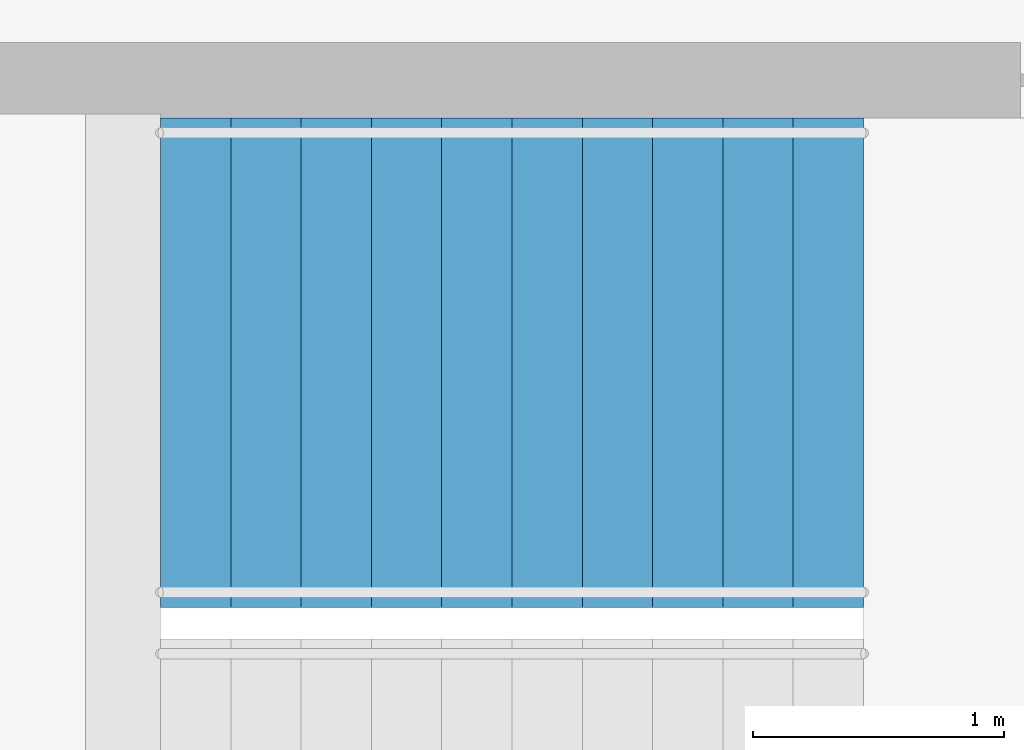
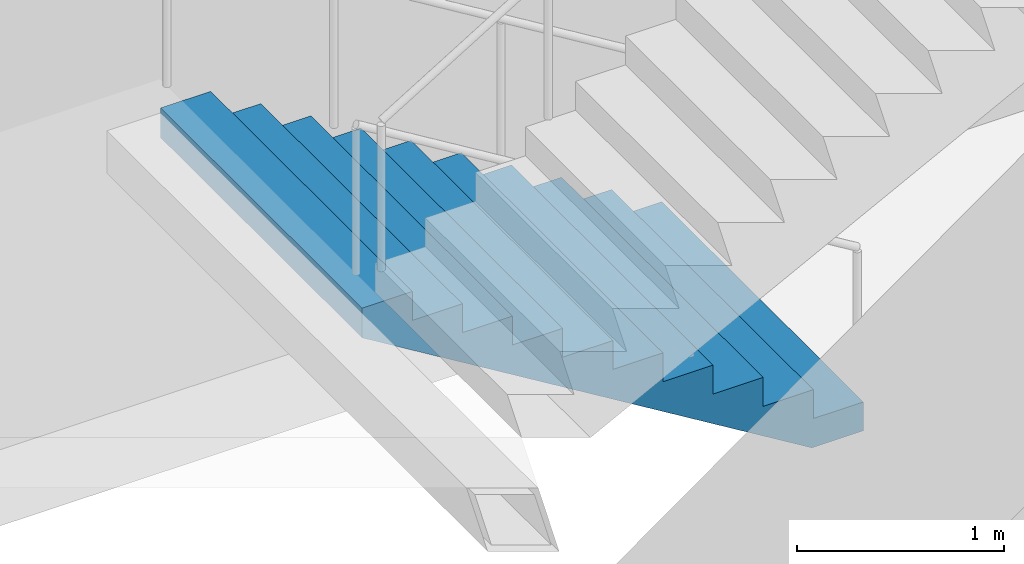
# One storey, part 27 of 29: 1 stair flight, 1 element without a shape of its own.
"""IFC4 building model written with IfcOpenShell, lengths in metres."""

from ifc_helpers import new_model, si_unit, direction, frame, origin, place, context, subcontext, project, spatial, triangles, material, type_object, element, aggregate, save


model = new_model("IFC4")

# Units and contexts
model_context = context("Model", 3, precision=1e-05, world=origin(), true_north=direction((0.0, 1.0)))
body_context = subcontext(model_context, "Body", "Model", "MODEL_VIEW")
ifc_project = project(units=[si_unit("LENGTHUNIT", "METRE"), si_unit("AREAUNIT", "SQUARE_METRE"), si_unit("VOLUMEUNIT", "CUBIC_METRE"), si_unit("PLANEANGLEUNIT", "RADIAN"), si_unit("MASSUNIT", "GRAM", prefix="KILO")], contexts=[model_context])

# Site, building, storey
site_placement = place(None, origin())
site = spatial("IfcSite", under=ifc_project, at=site_placement, CompositionType="ELEMENT")
building_placement = place(site_placement, origin())
building = spatial("IfcBuilding", under=site, at=building_placement, Name="Orbita Commons", CompositionType="ELEMENT")
storey_placement = place(building_placement, frame((0.0, 0.0, 163.60009765625)))
storey = spatial("IfcBuildingStorey", under=building, at=storey_placement, Name="L40", CompositionType="ELEMENT", Elevation=163.60009765625)

# Stair, stair flight
ifc_material_1 = material(Name="Precast concrete C40/50", Category="concrete")
stair_type = type_object("IfcStairType", Name="Exit stair S2 2 flights 11 risers 170", PredefinedType="HALF_TURN_STAIR", material=ifc_material_1)
stair_placement = place(storey_placement, origin())
stair = element("IfcStair", 1, at=stair_placement, inside=storey, type_object=stair_type, Name="Exit stair S2 L40", PredefinedType="HALF_TURN_STAIR")
ifc_material_2 = material(Name="Precast concrete C40/50", Category="concrete")
stair_flight_type = type_object("IfcStairFlightType", Name="Stair flight 11 risers 170 x 280", PredefinedType="STRAIGHT", material=ifc_material_2)
stair_flight_placement = place(storey_placement, frame((63.550048828125, 29.27490234375, 0.0), z_axis=(0.0, 0.0, 1.0), x_axis=(-1.0, 0.0, 0.0)))
stair_flight = element("IfcStairFlight", 2, at=stair_flight_placement, type_object=stair_flight_type, Name="S2 flight 1", NumberOfRisers=11, NumberOfTreads=10, PredefinedType="STRAIGHT", RiserHeight=0.170454545, TreadLength=0.28, context=body_context, shape_type="Tessellation", body=[
    triangles([(0.0, 0.974976, 0.0), (0.0, 0.974976, 0.021307), (0.0, 0.81248, 0.021307), (0.0, 0.81248, 0.0), (0.0, 0.649984, 0.021307), (0.0, 0.649984, 0.0), (0.0, 0.487488, 0.021307), (0.0, 0.487488, 0.0), (0.0, 0.324992, 0.021307), (0.0, 0.324992, 0.0), (0.0, 0.162496, 0.021307), (0.0, 0.162496, 0.0), (0.0, 0.0, 0.021307), (0.0, 0.0, 0.0), (0.0, -0.162496, 0.021307), (0.0, -0.162496, 0.0), (0.0, -0.324992, 0.021307), (0.0, -0.324992, 0.0), (0.0, -0.487488, 0.021307), (0.0, -0.487488, 0.0), (0.0, -0.649984, 0.021307), (0.0, -0.649984, 0.0), (0.0, -0.81248, 0.021307), (0.0, -0.81248, 0.0), (0.0, -0.974976, 0.021307), (0.0, -0.974976, 0.0), (0.0, 0.974976, 0.042614), (0.0, 0.81248, 0.042614), (0.0, 0.649984, 0.042614), (0.0, 0.487488, 0.042614), (0.0, 0.324992, 0.042614), (0.0, 0.162496, 0.042614), (0.0, 0.0, 0.042614), (0.0, -0.162496, 0.042614), (0.0, -0.324992, 0.042614), (0.0, -0.487488, 0.042614), (0.0, -0.649984, 0.042614), (0.0, -0.81248, 0.042614), (0.0, -0.974976, 0.042614), (0.0, 0.974976, 0.06392), (0.0, 0.81248, 0.06392), (0.0, 0.649984, 0.06392), (0.0, 0.487488, 0.06392), (0.0, 0.324992, 0.06392), (0.0, 0.162496, 0.06392), (0.0, 0.0, 0.06392), (0.0, -0.162496, 0.06392), (0.0, -0.324992, 0.06392), (0.0, -0.487488, 0.06392), (0.0, -0.649984, 0.06392), (0.0, -0.81248, 0.06392), (0.0, -0.974976, 0.06392), (0.0, 0.974976, 0.085227), (0.0, 0.81248, 0.085227), (0.0, 0.649984, 0.085227), (0.0, 0.487488, 0.085227), (0.0, 0.324992, 0.085227), (0.0, 0.162496, 0.085227), (0.0, 0.0, 0.085227), (0.0, -0.162496, 0.085227), (0.0, -0.324992, 0.085227), (0.0, -0.487488, 0.085227), (0.0, -0.649984, 0.085227), (0.0, -0.81248, 0.085227), (0.0, -0.974976, 0.085227), (0.0, 0.974976, 0.106534), (0.0, 0.81248, 0.106534), (0.0, 0.649984, 0.106534), (0.0, 0.487488, 0.106534), (0.0, 0.324992, 0.106534), (0.0, 0.162496, 0.106534), (0.0, 0.0, 0.106534), (0.0, -0.162496, 0.106534), (0.0, -0.324992, 0.106534), (0.0, -0.487488, 0.106534), (0.0, -0.649984, 0.106534), (0.0, -0.81248, 0.106534), (0.0, -0.974976, 0.106534), (0.0, 0.974976, 0.127841), (0.0, 0.81248, 0.127841), (0.0, 0.649984, 0.127841), (0.0, 0.487488, 0.127841), (0.0, 0.324992, 0.127841), (0.0, 0.162496, 0.127841), (0.0, 0.0, 0.127841), (0.0, -0.162496, 0.127841), (0.0, -0.324992, 0.127841), (0.0, -0.487488, 0.127841), (0.0, -0.649984, 0.127841), (0.0, -0.81248, 0.127841), (0.0, -0.974976, 0.127841), (0.0, 0.974976, 0.149148), (0.0, 0.81248, 0.149148), (0.0, 0.649984, 0.149148), (0.0, 0.487488, 0.149148), (0.0, 0.324992, 0.149148), (0.0, 0.162496, 0.149148), (0.0, 0.0, 0.149148), (0.0, -0.162496, 0.149148), (0.0, -0.324992, 0.149148), (0.0, -0.487488, 0.149148), (0.0, -0.649984, 0.149148), (0.0, -0.81248, 0.149148), (0.0, -0.974976, 0.149148), (0.0, 0.974976, 0.170455), (0.0, 0.81248, 0.170455), (0.0, 0.649984, 0.170455), (0.0, 0.487488, 0.170455), (0.0, 0.324992, 0.170455), (0.0, 0.162496, 0.170455), (0.0, 0.0, 0.170455), (0.0, -0.162496, 0.170455), (0.0, -0.324992, 0.170455), (0.0, -0.487488, 0.170455), (0.0, -0.649984, 0.170455), (0.0, -0.81248, 0.170455), (0.0, -0.974976, 0.170455), (0.28, 0.974976, 0.170455), (0.28, 0.81248, 0.170455), (0.28, 0.649984, 0.170455), (0.28, 0.487488, 0.170455), (0.28, 0.324992, 0.170455), (0.28, 0.162496, 0.170455), (0.28, 0.0, 0.170455), (0.28, -0.162496, 0.170455), (0.28, -0.324992, 0.170455), (0.28, -0.487488, 0.170455), (0.28, -0.649984, 0.170455), (0.28, -0.81248, 0.170455), (0.28, -0.974976, 0.170455), (0.28, 0.974976, 0.340909), (0.28, 0.81248, 0.340909), (0.28, 0.649984, 0.340909), (0.28, 0.487488, 0.340909), (0.28, 0.324992, 0.340909), (0.28, 0.162496, 0.340909), (0.28, 0.0, 0.340909), (0.28, -0.162496, 0.340909), (0.28, -0.324992, 0.340909), (0.28, -0.487488, 0.340909), (0.28, -0.649984, 0.340909), (0.28, -0.81248, 0.340909), (0.28, -0.974976, 0.340909), (0.56, 0.974976, 0.340909), (0.56, 0.81248, 0.340909), (0.56, 0.649984, 0.340909), (0.56, 0.487488, 0.340909), (0.56, 0.324992, 0.340909), (0.56, 0.162496, 0.340909), (0.56, 0.0, 0.340909), (0.56, -0.162496, 0.340909), (0.56, -0.324992, 0.340909), (0.56, -0.487488, 0.340909), (0.56, -0.649984, 0.340909), (0.56, -0.81248, 0.340909), (0.56, -0.974976, 0.340909), (0.56, 0.974976, 0.511364), (0.56, 0.81248, 0.511364), (0.56, 0.649984, 0.511364), (0.56, 0.487488, 0.511364), (0.56, 0.324992, 0.511364), (0.56, 0.162496, 0.511364), (0.56, 0.0, 0.511364), (0.56, -0.162496, 0.511364), (0.56, -0.324992, 0.511364), (0.56, -0.487488, 0.511364), (0.56, -0.649984, 0.511364), (0.56, -0.81248, 0.511364), (0.56, -0.974976, 0.511364), (0.84, 0.974976, 0.511364), (0.84, 0.81248, 0.511364), (0.84, 0.649984, 0.511364), (0.84, 0.487488, 0.511364), (0.84, 0.324992, 0.511364), (0.84, 0.162496, 0.511364), (0.84, 0.0, 0.511364), (0.84, -0.162496, 0.511364), (0.84, -0.324992, 0.511364), (0.84, -0.487488, 0.511364), (0.84, -0.649984, 0.511364), (0.84, -0.81248, 0.511364), (0.84, -0.974976, 0.511364), (0.84, 0.974976, 0.681818), (0.84, 0.81248, 0.681818), (0.84, 0.649984, 0.681818), (0.84, 0.487488, 0.681818), (0.84, 0.324992, 0.681818), (0.84, 0.162496, 0.681818), (0.84, 0.0, 0.681818), (0.84, -0.162496, 0.681818), (0.84, -0.324992, 0.681818), (0.84, -0.487488, 0.681818), (0.84, -0.649984, 0.681818), (0.84, -0.81248, 0.681818), (0.84, -0.974976, 0.681818), (1.12, 0.974976, 0.681818), (1.12, 0.81248, 0.681818), (1.12, 0.649984, 0.681818), (1.12, 0.487488, 0.681818), (1.12, 0.324992, 0.681818), (1.12, 0.162496, 0.681818), (1.12, 0.0, 0.681818), (1.12, -0.162496, 0.681818), (1.12, -0.324992, 0.681818), (1.12, -0.487488, 0.681818), (1.12, -0.649984, 0.681818), (1.12, -0.81248, 0.681818), (1.12, -0.974976, 0.681818), (1.12, 0.974976, 0.852273), (1.12, 0.81248, 0.852273), (1.12, 0.649984, 0.852273), (1.12, 0.487488, 0.852273), (1.12, 0.324992, 0.852273), (1.12, 0.162496, 0.852273), (1.12, 0.0, 0.852273), (1.12, -0.162496, 0.852273), (1.12, -0.324992, 0.852273), (1.12, -0.487488, 0.852273), (1.12, -0.649984, 0.852273), (1.12, -0.81248, 0.852273), (1.12, -0.974976, 0.852273), (1.4, 0.974976, 0.852273), (1.4, 0.81248, 0.852273), (1.4, 0.649984, 0.852273), (1.4, 0.487488, 0.852273), (1.4, 0.324992, 0.852273), (1.4, 0.162496, 0.852273), (1.4, 0.0, 0.852273), (1.4, -0.162496, 0.852273), (1.4, -0.324992, 0.852273), (1.4, -0.487488, 0.852273), (1.4, -0.649984, 0.852273), (1.4, -0.81248, 0.852273), (1.4, -0.974976, 0.852273), (1.4, 0.974976, 1.022727), (1.4, 0.81248, 1.022727), (1.4, 0.649984, 1.022727), (1.4, 0.487488, 1.022727), (1.4, 0.324992, 1.022727), (1.4, 0.162496, 1.022727), (1.4, 0.0, 1.022727), (1.4, -0.162496, 1.022727), (1.4, -0.324992, 1.022727), (1.4, -0.487488, 1.022727), (1.4, -0.649984, 1.022727), (1.4, -0.81248, 1.022727), (1.4, -0.974976, 1.022727), (1.68, 0.974976, 1.022727), (1.68, 0.81248, 1.022727), (1.68, 0.649984, 1.022727), (1.68, 0.487488, 1.022727), (1.68, 0.324992, 1.022727), (1.68, 0.162496, 1.022727), (1.68, 0.0, 1.022727), (1.68, -0.162496, 1.022727), (1.68, -0.324992, 1.022727), (1.68, -0.487488, 1.022727), (1.68, -0.649984, 1.022727), (1.68, -0.81248, 1.022727), (1.68, -0.974976, 1.022727), (1.68, 0.974976, 1.193182), (1.68, 0.81248, 1.193182), (1.68, 0.649984, 1.193182), (1.68, 0.487488, 1.193182), (1.68, 0.324992, 1.193182), (1.68, 0.162496, 1.193182), (1.68, 0.0, 1.193182), (1.68, -0.162496, 1.193182), (1.68, -0.324992, 1.193182), (1.68, -0.487488, 1.193182), (1.68, -0.649984, 1.193182), (1.68, -0.81248, 1.193182), (1.68, -0.974976, 1.193182), (1.96, 0.974976, 1.193182), (1.96, 0.81248, 1.193182), (1.96, 0.649984, 1.193182), (1.96, 0.487488, 1.193182), (1.96, 0.324992, 1.193182), (1.96, 0.162496, 1.193182), (1.96, 0.0, 1.193182), (1.96, -0.162496, 1.193182), (1.96, -0.324992, 1.193182), (1.96, -0.487488, 1.193182), (1.96, -0.649984, 1.193182), (1.96, -0.81248, 1.193182), (1.96, -0.974976, 1.193182), (1.96, 0.974976, 1.363636), (1.96, 0.81248, 1.363636), (1.96, 0.649984, 1.363636), (1.96, 0.487488, 1.363636), (1.96, 0.324992, 1.363636), (1.96, 0.162496, 1.363636), (1.96, 0.0, 1.363636), (1.96, -0.162496, 1.363636), (1.96, -0.324992, 1.363636), (1.96, -0.487488, 1.363636), (1.96, -0.649984, 1.363636), (1.96, -0.81248, 1.363636), (1.96, -0.974976, 1.363636), (2.24, 0.974976, 1.363636), (2.24, 0.81248, 1.363636), (2.24, 0.649984, 1.363636), (2.24, 0.487488, 1.363636), (2.24, 0.324992, 1.363636), (2.24, 0.162496, 1.363636), (2.24, 0.0, 1.363636), (2.24, -0.162496, 1.363636), (2.24, -0.324992, 1.363636), (2.24, -0.487488, 1.363636), (2.24, -0.649984, 1.363636), (2.24, -0.81248, 1.363636), (2.24, -0.974976, 1.363636), (2.24, 0.974976, 1.534091), (2.24, 0.81248, 1.534091), (2.24, 0.649984, 1.534091), (2.24, 0.487488, 1.534091), (2.24, 0.324992, 1.534091), (2.24, 0.162496, 1.534091), (2.24, 0.0, 1.534091), (2.24, -0.162496, 1.534091), (2.24, -0.324992, 1.534091), (2.24, -0.487488, 1.534091), (2.24, -0.649984, 1.534091), (2.24, -0.81248, 1.534091), (2.24, -0.974976, 1.534091), (2.52, 0.974976, 1.534091), (2.52, 0.81248, 1.534091), (2.52, 0.649984, 1.534091), (2.52, 0.487488, 1.534091), (2.52, 0.324992, 1.534091), (2.52, 0.162496, 1.534091), (2.52, 0.0, 1.534091), (2.52, -0.162496, 1.534091), (2.52, -0.324992, 1.534091), (2.52, -0.487488, 1.534091), (2.52, -0.649984, 1.534091), (2.52, -0.81248, 1.534091), (2.52, -0.974976, 1.534091), (2.52, 0.974976, 1.704545), (2.52, 0.81248, 1.704545), (2.52, 0.649984, 1.704545), (2.52, 0.487488, 1.704545), (2.52, 0.324992, 1.704545), (2.52, 0.162496, 1.704545), (2.52, 0.0, 1.704545), (2.52, -0.162496, 1.704545), (2.52, -0.324992, 1.704545), (2.52, -0.487488, 1.704545), (2.52, -0.649984, 1.704545), (2.52, -0.81248, 1.704545), (2.52, -0.974976, 1.704545), (2.8, 0.974976, 1.704545), (2.8, 0.81248, 1.704545), (2.8, 0.649984, 1.704545), (2.8, 0.487488, 1.704545), (2.8, 0.324992, 1.704545), (2.8, 0.162496, 1.704545), (2.8, 0.0, 1.704545), (2.8, -0.162496, 1.704545), (2.8, -0.324992, 1.704545), (2.8, -0.487488, 1.704545), (2.8, -0.649984, 1.704545), (2.8, -0.81248, 1.704545), (2.8, -0.974976, 1.704545), (2.8, 0.974976, 1.682609), (2.8, 0.81248, 1.682609), (2.8, 0.649984, 1.682609), (2.8, 0.487488, 1.682609), (2.8, 0.324992, 1.682609), (2.8, 0.162496, 1.682609), (2.8, 0.0, 1.682609), (2.8, -0.162496, 1.682609), (2.8, -0.324992, 1.682609), (2.8, -0.487488, 1.682609), (2.8, -0.649984, 1.682609), (2.8, -0.81248, 1.682609), (2.8, -0.974976, 1.682609), (2.8, 0.974976, 1.660672), (2.8, 0.81248, 1.660672), (2.8, 0.649984, 1.660672), (2.8, 0.487488, 1.660672), (2.8, 0.324992, 1.660672), (2.8, 0.162496, 1.660672), (2.8, 0.0, 1.660672), (2.8, -0.162496, 1.660672), (2.8, -0.324992, 1.660672), (2.8, -0.487488, 1.660672), (2.8, -0.649984, 1.660672), (2.8, -0.81248, 1.660672), (2.8, -0.974976, 1.660672), (2.8, 0.974976, 1.638735), (2.8, 0.81248, 1.638735), (2.8, 0.649984, 1.638735), (2.8, 0.487488, 1.638735), (2.8, 0.324992, 1.638735), (2.8, 0.162496, 1.638735), (2.8, 0.0, 1.638735), (2.8, -0.162496, 1.638735), (2.8, -0.324992, 1.638735), (2.8, -0.487488, 1.638735), (2.8, -0.649984, 1.638735), (2.8, -0.81248, 1.638735), (2.8, -0.974976, 1.638735), (2.8, 0.974976, 1.616798), (2.8, 0.81248, 1.616798), (2.8, 0.649984, 1.616798), (2.8, 0.487488, 1.616798), (2.8, 0.324992, 1.616798), (2.8, 0.162496, 1.616798), (2.8, 0.0, 1.616798), (2.8, -0.162496, 1.616798), (2.8, -0.324992, 1.616798), (2.8, -0.487488, 1.616798), (2.8, -0.649984, 1.616798), (2.8, -0.81248, 1.616798), (2.8, -0.974976, 1.616798), (2.8, 0.974976, 1.594861), (2.8, 0.81248, 1.594861), (2.8, 0.649984, 1.594861), (2.8, 0.487488, 1.594861), (2.8, 0.324992, 1.594861), (2.8, 0.162496, 1.594861), (2.8, 0.0, 1.594861), (2.8, -0.162496, 1.594861), (2.8, -0.324992, 1.594861), (2.8, -0.487488, 1.594861), (2.8, -0.649984, 1.594861), (2.8, -0.81248, 1.594861), (2.8, -0.974976, 1.594861), (2.8, 0.974976, 1.572925), (2.8, 0.81248, 1.572925), (2.8, 0.649984, 1.572925), (2.8, 0.487488, 1.572925), (2.8, 0.324992, 1.572925), (2.8, 0.162496, 1.572925), (2.8, 0.0, 1.572925), (2.8, -0.162496, 1.572925), (2.8, -0.324992, 1.572925), (2.8, -0.487488, 1.572925), (2.8, -0.649984, 1.572925), (2.8, -0.81248, 1.572925), (2.8, -0.974976, 1.572925), (2.8, 0.974976, 1.550988), (2.8, 0.81248, 1.550988), (2.8, 0.649984, 1.550988), (2.8, 0.487488, 1.550988), (2.8, 0.324992, 1.550988), (2.8, 0.162496, 1.550988), (2.8, 0.0, 1.550988), (2.8, -0.162496, 1.550988), (2.8, -0.324992, 1.550988), (2.8, -0.487488, 1.550988), (2.8, -0.649984, 1.550988), (2.8, -0.81248, 1.550988), (2.8, -0.974976, 1.550988), (2.8, 0.974976, 1.529051), (2.8, 0.81248, 1.529051), (2.8, 0.649984, 1.529051), (2.8, 0.487488, 1.529051), (2.8, 0.324992, 1.529051), (2.8, 0.162496, 1.529051), (2.8, 0.0, 1.529051), (2.8, -0.162496, 1.529051), (2.8, -0.324992, 1.529051), (2.8, -0.487488, 1.529051), (2.8, -0.649984, 1.529051), (2.8, -0.81248, 1.529051), (2.8, -0.974976, 1.529051), (0.288279, 0.974976, 0.0), (0.288279, 0.81248, 0.0), (0.288279, 0.649984, 0.0), (0.288279, 0.487488, 0.0), (0.288279, 0.324992, 0.0), (0.288279, 0.162496, 0.0), (0.288279, 0.0, 0.0), (0.288279, -0.162496, 0.0), (0.288279, -0.324992, 0.0), (0.288279, -0.487488, 0.0), (0.288279, -0.649984, 0.0), (0.288279, -0.81248, 0.0), (0.288279, -0.974976, 0.0)], [[3, 2, 1], [4, 3, 1], [5, 3, 4], [6, 5, 4], [7, 5, 6], [8, 7, 6], [9, 7, 8], [10, 9, 8], [11, 9, 10], [12, 11, 10], [13, 11, 12], [14, 13, 12], [15, 13, 14], [16, 15, 14], [17, 15, 16], [18, 17, 16], [19, 17, 18], [20, 19, 18], [21, 19, 20], [22, 21, 20], [23, 21, 22], [24, 23, 22], [25, 23, 24], [26, 25, 24], [28, 27, 2], [3, 28, 2], [29, 28, 3], [5, 29, 3], [30, 29, 5], [7, 30, 5], [31, 30, 7], [9, 31, 7], [32, 31, 9], [11, 32, 9], [33, 32, 11], [13, 33, 11], [34, 33, 13], [15, 34, 13], [35, 34, 15], [17, 35, 15], [36, 35, 17], [19, 36, 17], [37, 36, 19], [21, 37, 19], [38, 37, 21], [23, 38, 21], [39, 38, 23], [25, 39, 23], [41, 40, 27], [28, 41, 27], [42, 41, 28], [29, 42, 28], [43, 42, 29], [30, 43, 29], [44, 43, 30], [31, 44, 30], [45, 44, 31], [32, 45, 31], [46, 45, 32], [33, 46, 32], [47, 46, 33], [34, 47, 33], [48, 47, 34], [35, 48, 34], [49, 48, 35], [36, 49, 35], [50, 49, 36], [37, 50, 36], [51, 50, 37], [38, 51, 37], [52, 51, 38], [39, 52, 38], [54, 53, 40], [41, 54, 40], [55, 54, 41], [42, 55, 41], [56, 55, 42], [43, 56, 42], [57, 56, 43], [44, 57, 43], [58, 57, 44], [45, 58, 44], [59, 58, 45], [46, 59, 45], [60, 59, 46], [47, 60, 46], [61, 60, 47], [48, 61, 47], [62, 61, 48], [49, 62, 48], [63, 62, 49], [50, 63, 49], [64, 63, 50], [51, 64, 50], [65, 64, 51], [52, 65, 51], [67, 66, 53], [54, 67, 53], [68, 67, 54], [55, 68, 54], [69, 68, 55], [56, 69, 55], [70, 69, 56], [57, 70, 56], [71, 70, 57], [58, 71, 57], [72, 71, 58], [59, 72, 58], [73, 72, 59], [60, 73, 59], [74, 73, 60], [61, 74, 60], [75, 74, 61], [62, 75, 61], [76, 75, 62], [63, 76, 62], [77, 76, 63], [64, 77, 63], [78, 77, 64], [65, 78, 64], [80, 79, 66], [67, 80, 66], [81, 80, 67], [68, 81, 67], [82, 81, 68], [69, 82, 68], [83, 82, 69], [70, 83, 69], [84, 83, 70], [71, 84, 70], [85, 84, 71], [72, 85, 71], [86, 85, 72], [73, 86, 72], [87, 86, 73], [74, 87, 73], [88, 87, 74], [75, 88, 74], [89, 88, 75], [76, 89, 75], [90, 89, 76], [77, 90, 76], [91, 90, 77], [78, 91, 77], [93, 92, 79], [80, 93, 79], [94, 93, 80], [81, 94, 80], [95, 94, 81], [82, 95, 81], [96, 95, 82], [83, 96, 82], [97, 96, 83], [84, 97, 83], [98, 97, 84], [85, 98, 84], [99, 98, 85], [86, 99, 85], [100, 99, 86], [87, 100, 86], [101, 100, 87], [88, 101, 87], [102, 101, 88], [89, 102, 88], [103, 102, 89], [90, 103, 89], [104, 103, 90], [91, 104, 90], [106, 105, 92], [93, 106, 92], [107, 106, 93], [94, 107, 93], [108, 107, 94], [95, 108, 94], [109, 108, 95], [96, 109, 95], [110, 109, 96], [97, 110, 96], [111, 110, 97], [98, 111, 97], [112, 111, 98], [99, 112, 98], [113, 112, 99], [100, 113, 99], [114, 113, 100], [101, 114, 100], [115, 114, 101], [102, 115, 101], [116, 115, 102], [103, 116, 102], [117, 116, 103], [104, 117, 103], [119, 118, 105], [106, 119, 105], [120, 119, 106], [107, 120, 106], [121, 120, 107], [108, 121, 107], [122, 121, 108], [109, 122, 108], [123, 122, 109], [110, 123, 109], [124, 123, 110], [111, 124, 110], [125, 124, 111], [112, 125, 111], [126, 125, 112], [113, 126, 112], [127, 126, 113], [114, 127, 113], [128, 127, 114], [115, 128, 114], [129, 128, 115], [116, 129, 115], [130, 129, 116], [117, 130, 116], [132, 131, 118], [119, 132, 118], [133, 132, 119], [120, 133, 119], [134, 133, 120], [121, 134, 120], [135, 134, 121], [122, 135, 121], [136, 135, 122], [123, 136, 122], [137, 136, 123], [124, 137, 123], [138, 137, 124], [125, 138, 124], [139, 138, 125], [126, 139, 125], [140, 139, 126], [127, 140, 126], [141, 140, 127], [128, 141, 127], [142, 141, 128], [129, 142, 128], [143, 142, 129], [130, 143, 129], [145, 144, 131], [132, 145, 131], [146, 145, 132], [133, 146, 132], [147, 146, 133], [134, 147, 133], [148, 147, 134], [135, 148, 134], [149, 148, 135], [136, 149, 135], [150, 149, 136], [137, 150, 136], [151, 150, 137], [138, 151, 137], [152, 151, 138], [139, 152, 138], [153, 152, 139], [140, 153, 139], [154, 153, 140], [141, 154, 140], [155, 154, 141], [142, 155, 141], [156, 155, 142], [143, 156, 142], [158, 157, 144], [145, 158, 144], [159, 158, 145], [146, 159, 145], [160, 159, 146], [147, 160, 146], [161, 160, 147], [148, 161, 147], [162, 161, 148], [149, 162, 148], [163, 162, 149], [150, 163, 149], [164, 163, 150], [151, 164, 150], [165, 164, 151], [152, 165, 151], [166, 165, 152], [153, 166, 152], [167, 166, 153], [154, 167, 153], [168, 167, 154], [155, 168, 154], [169, 168, 155], [156, 169, 155], [171, 170, 157], [158, 171, 157], [172, 171, 158], [159, 172, 158], [173, 172, 159], [160, 173, 159], [174, 173, 160], [161, 174, 160], [175, 174, 161], [162, 175, 161], [176, 175, 162], [163, 176, 162], [177, 176, 163], [164, 177, 163], [178, 177, 164], [165, 178, 164], [179, 178, 165], [166, 179, 165], [180, 179, 166], [167, 180, 166], [181, 180, 167], [168, 181, 167], [182, 181, 168], [169, 182, 168], [184, 183, 170], [171, 184, 170], [185, 184, 171], [172, 185, 171], [186, 185, 172], [173, 186, 172], [187, 186, 173], [174, 187, 173], [188, 187, 174], [175, 188, 174], [189, 188, 175], [176, 189, 175], [190, 189, 176], [177, 190, 176], [191, 190, 177], [178, 191, 177], [192, 191, 178], [179, 192, 178], [193, 192, 179], [180, 193, 179], [194, 193, 180], [181, 194, 180], [195, 194, 181], [182, 195, 181], [197, 196, 183], [184, 197, 183], [198, 197, 184], [185, 198, 184], [199, 198, 185], [186, 199, 185], [200, 199, 186], [187, 200, 186], [201, 200, 187], [188, 201, 187], [202, 201, 188], [189, 202, 188], [203, 202, 189], [190, 203, 189], [204, 203, 190], [191, 204, 190], [205, 204, 191], [192, 205, 191], [206, 205, 192], [193, 206, 192], [207, 206, 193], [194, 207, 193], [208, 207, 194], [195, 208, 194], [210, 209, 196], [197, 210, 196], [211, 210, 197], [198, 211, 197], [212, 211, 198], [199, 212, 198], [213, 212, 199], [200, 213, 199], [214, 213, 200], [201, 214, 200], [215, 214, 201], [202, 215, 201], [216, 215, 202], [203, 216, 202], [217, 216, 203], [204, 217, 203], [218, 217, 204], [205, 218, 204], [219, 218, 205], [206, 219, 205], [220, 219, 206], [207, 220, 206], [221, 220, 207], [208, 221, 207], [223, 222, 209], [210, 223, 209], [224, 223, 210], [211, 224, 210], [225, 224, 211], [212, 225, 211], [226, 225, 212], [213, 226, 212], [227, 226, 213], [214, 227, 213], [228, 227, 214], [215, 228, 214], [229, 228, 215], [216, 229, 215], [230, 229, 216], [217, 230, 216], [231, 230, 217], [218, 231, 217], [232, 231, 218], [219, 232, 218], [233, 232, 219], [220, 233, 219], [234, 233, 220], [221, 234, 220], [236, 235, 222], [223, 236, 222], [237, 236, 223], [224, 237, 223], [238, 237, 224], [225, 238, 224], [239, 238, 225], [226, 239, 225], [240, 239, 226], [227, 240, 226], [241, 240, 227], [228, 241, 227], [242, 241, 228], [229, 242, 228], [243, 242, 229], [230, 243, 229], [244, 243, 230], [231, 244, 230], [245, 244, 231], [232, 245, 231], [246, 245, 232], [233, 246, 232], [247, 246, 233], [234, 247, 233], [249, 248, 235], [236, 249, 235], [250, 249, 236], [237, 250, 236], [251, 250, 237], [238, 251, 237], [252, 251, 238], [239, 252, 238], [253, 252, 239], [240, 253, 239], [254, 253, 240], [241, 254, 240], [255, 254, 241], [242, 255, 241], [256, 255, 242], [243, 256, 242], [257, 256, 243], [244, 257, 243], [258, 257, 244], [245, 258, 244], [259, 258, 245], [246, 259, 245], [260, 259, 246], [247, 260, 246], [262, 261, 248], [249, 262, 248], [263, 262, 249], [250, 263, 249], [264, 263, 250], [251, 264, 250], [265, 264, 251], [252, 265, 251], [266, 265, 252], [253, 266, 252], [267, 266, 253], [254, 267, 253], [268, 267, 254], [255, 268, 254], [269, 268, 255], [256, 269, 255], [270, 269, 256], [257, 270, 256], [271, 270, 257], [258, 271, 257], [272, 271, 258], [259, 272, 258], [273, 272, 259], [260, 273, 259], [275, 274, 261], [262, 275, 261], [276, 275, 262], [263, 276, 262], [277, 276, 263], [264, 277, 263], [278, 277, 264], [265, 278, 264], [279, 278, 265], [266, 279, 265], [280, 279, 266], [267, 280, 266], [281, 280, 267], [268, 281, 267], [282, 281, 268], [269, 282, 268], [283, 282, 269], [270, 283, 269], [284, 283, 270], [271, 284, 270], [285, 284, 271], [272, 285, 271], [286, 285, 272], [273, 286, 272], [288, 287, 274], [275, 288, 274], [289, 288, 275], [276, 289, 275], [290, 289, 276], [277, 290, 276], [291, 290, 277], [278, 291, 277], [292, 291, 278], [279, 292, 278], [293, 292, 279], [280, 293, 279], [294, 293, 280], [281, 294, 280], [295, 294, 281], [282, 295, 281], [296, 295, 282], [283, 296, 282], [297, 296, 283], [284, 297, 283], [298, 297, 284], [285, 298, 284], [299, 298, 285], [286, 299, 285], [301, 300, 287], [288, 301, 287], [302, 301, 288], [289, 302, 288], [303, 302, 289], [290, 303, 289], [304, 303, 290], [291, 304, 290], [305, 304, 291], [292, 305, 291], [306, 305, 292], [293, 306, 292], [307, 306, 293], [294, 307, 293], [308, 307, 294], [295, 308, 294], [309, 308, 295], [296, 309, 295], [310, 309, 296], [297, 310, 296], [311, 310, 297], [298, 311, 297], [312, 311, 298], [299, 312, 298], [314, 313, 300], [301, 314, 300], [315, 314, 301], [302, 315, 301], [316, 315, 302], [303, 316, 302], [317, 316, 303], [304, 317, 303], [318, 317, 304], [305, 318, 304], [319, 318, 305], [306, 319, 305], [320, 319, 306], [307, 320, 306], [321, 320, 307], [308, 321, 307], [322, 321, 308], [309, 322, 308], [323, 322, 309], [310, 323, 309], [324, 323, 310], [311, 324, 310], [325, 324, 311], [312, 325, 311], [327, 326, 313], [314, 327, 313], [328, 327, 314], [315, 328, 314], [329, 328, 315], [316, 329, 315], [330, 329, 316], [317, 330, 316], [331, 330, 317], [318, 331, 317], [332, 331, 318], [319, 332, 318], [333, 332, 319], [320, 333, 319], [334, 333, 320], [321, 334, 320], [335, 334, 321], [322, 335, 321], [336, 335, 322], [323, 336, 322], [337, 336, 323], [324, 337, 323], [338, 337, 324], [325, 338, 324], [340, 339, 326], [327, 340, 326], [341, 340, 327], [328, 341, 327], [342, 341, 328], [329, 342, 328], [343, 342, 329], [330, 343, 329], [344, 343, 330], [331, 344, 330], [345, 344, 331], [332, 345, 331], [346, 345, 332], [333, 346, 332], [347, 346, 333], [334, 347, 333], [348, 347, 334], [335, 348, 334], [349, 348, 335], [336, 349, 335], [350, 349, 336], [337, 350, 336], [351, 350, 337], [338, 351, 337], [353, 352, 339], [340, 353, 339], [354, 353, 340], [341, 354, 340], [355, 354, 341], [342, 355, 341], [356, 355, 342], [343, 356, 342], [357, 356, 343], [344, 357, 343], [358, 357, 344], [345, 358, 344], [359, 358, 345], [346, 359, 345], [360, 359, 346], [347, 360, 346], [361, 360, 347], [348, 361, 347], [362, 361, 348], [349, 362, 348], [363, 362, 349], [350, 363, 349], [364, 363, 350], [351, 364, 350], [366, 365, 352], [353, 366, 352], [367, 366, 353], [354, 367, 353], [368, 367, 354], [355, 368, 354], [369, 368, 355], [356, 369, 355], [370, 369, 356], [357, 370, 356], [371, 370, 357], [358, 371, 357], [372, 371, 358], [359, 372, 358], [373, 372, 359], [360, 373, 359], [374, 373, 360], [361, 374, 360], [375, 374, 361], [362, 375, 361], [376, 375, 362], [363, 376, 362], [377, 376, 363], [364, 377, 363], [379, 378, 365], [366, 379, 365], [380, 379, 366], [367, 380, 366], [381, 380, 367], [368, 381, 367], [382, 381, 368], [369, 382, 368], [383, 382, 369], [370, 383, 369], [384, 383, 370], [371, 384, 370], [385, 384, 371], [372, 385, 371], [386, 385, 372], [373, 386, 372], [387, 386, 373], [374, 387, 373], [388, 387, 374], [375, 388, 374], [389, 388, 375], [376, 389, 375], [390, 389, 376], [377, 390, 376], [392, 391, 378], [379, 392, 378], [393, 392, 379], [380, 393, 379], [394, 393, 380], [381, 394, 380], [395, 394, 381], [382, 395, 381], [396, 395, 382], [383, 396, 382], [397, 396, 383], [384, 397, 383], [398, 397, 384], [385, 398, 384], [399, 398, 385], [386, 399, 385], [400, 399, 386], [387, 400, 386], [401, 400, 387], [388, 401, 387], [402, 401, 388], [389, 402, 388], [403, 402, 389], [390, 403, 389], [405, 404, 391], [392, 405, 391], [406, 405, 392], [393, 406, 392], [407, 406, 393], [394, 407, 393], [408, 407, 394], [395, 408, 394], [409, 408, 395], [396, 409, 395], [410, 409, 396], [397, 410, 396], [411, 410, 397], [398, 411, 397], [412, 411, 398], [399, 412, 398], [413, 412, 399], [400, 413, 399], [414, 413, 400], [401, 414, 400], [415, 414, 401], [402, 415, 401], [416, 415, 402], [403, 416, 402], [418, 417, 404], [405, 418, 404], [419, 418, 405], [406, 419, 405], [420, 419, 406], [407, 420, 406], [421, 420, 407], [408, 421, 407], [422, 421, 408], [409, 422, 408], [423, 422, 409], [410, 423, 409], [424, 423, 410], [411, 424, 410], [425, 424, 411], [412, 425, 411], [426, 425, 412], [413, 426, 412], [427, 426, 413], [414, 427, 413], [428, 427, 414], [415, 428, 414], [429, 428, 415], [416, 429, 415], [431, 430, 417], [418, 431, 417], [432, 431, 418], [419, 432, 418], [433, 432, 419], [420, 433, 419], [434, 433, 420], [421, 434, 420], [435, 434, 421], [422, 435, 421], [436, 435, 422], [423, 436, 422], [437, 436, 423], [424, 437, 423], [438, 437, 424], [425, 438, 424], [439, 438, 425], [426, 439, 425], [440, 439, 426], [427, 440, 426], [441, 440, 427], [428, 441, 427], [442, 441, 428], [429, 442, 428], [444, 443, 430], [431, 444, 430], [445, 444, 431], [432, 445, 431], [446, 445, 432], [433, 446, 432], [447, 446, 433], [434, 447, 433], [448, 447, 434], [435, 448, 434], [449, 448, 435], [436, 449, 435], [450, 449, 436], [437, 450, 436], [451, 450, 437], [438, 451, 437], [452, 451, 438], [439, 452, 438], [453, 452, 439], [440, 453, 439], [454, 453, 440], [441, 454, 440], [455, 454, 441], [442, 455, 441], [457, 456, 443], [444, 457, 443], [458, 457, 444], [445, 458, 444], [459, 458, 445], [446, 459, 445], [460, 459, 446], [447, 460, 446], [461, 460, 447], [448, 461, 447], [462, 461, 448], [449, 462, 448], [463, 462, 449], [450, 463, 449], [464, 463, 450], [451, 464, 450], [465, 464, 451], [452, 465, 451], [466, 465, 452], [453, 466, 452], [467, 466, 453], [454, 467, 453], [468, 467, 454], [455, 468, 454], [470, 469, 456], [457, 470, 456], [471, 470, 457], [458, 471, 457], [472, 471, 458], [459, 472, 458], [473, 472, 459], [460, 473, 459], [474, 473, 460], [461, 474, 460], [475, 474, 461], [462, 475, 461], [476, 475, 462], [463, 476, 462], [477, 476, 463], [464, 477, 463], [478, 477, 464], [465, 478, 464], [479, 478, 465], [466, 479, 465], [480, 479, 466], [467, 480, 466], [481, 480, 467], [468, 481, 467], [4, 1, 469], [470, 4, 469], [6, 4, 470], [471, 6, 470], [8, 6, 471], [472, 8, 471], [10, 8, 472], [473, 10, 472], [12, 10, 473], [474, 12, 473], [14, 12, 474], [475, 14, 474], [16, 14, 475], [476, 16, 475], [18, 16, 476], [477, 18, 476], [20, 18, 477], [478, 20, 477], [22, 20, 478], [479, 22, 478], [24, 22, 479], [480, 24, 479], [26, 24, 480], [481, 26, 480], [456, 469, 1], [26, 481, 468], [443, 456, 1], [26, 468, 455], [430, 443, 1], [26, 455, 442], [417, 430, 1], [26, 442, 429], [404, 417, 1], [26, 429, 416], [391, 404, 1], [26, 416, 403], [378, 391, 1], [26, 403, 390], [365, 378, 1], [26, 390, 377], [339, 352, 365], [377, 364, 351], [326, 339, 365], [377, 351, 338], [300, 313, 326], [338, 325, 312], [300, 326, 365], [377, 338, 312], [274, 287, 300], [312, 299, 286], [274, 300, 365], [377, 312, 286], [248, 261, 274], [286, 273, 260], [248, 274, 365], [377, 286, 260], [222, 235, 248], [260, 247, 234], [222, 248, 365], [377, 260, 234], [196, 209, 222], [234, 221, 208], [196, 222, 365], [377, 234, 208], [170, 183, 196], [208, 195, 182], [170, 196, 365], [377, 208, 182], [144, 157, 170], [182, 169, 156], [144, 170, 365], [377, 182, 156], [118, 131, 144], [156, 143, 130], [118, 144, 365], [377, 156, 130], [118, 365, 1], [26, 377, 130], [92, 105, 118], [130, 117, 104], [79, 92, 118], [130, 104, 91], [66, 79, 118], [130, 91, 78], [53, 66, 118], [130, 78, 65], [40, 53, 118], [130, 65, 52], [27, 40, 118], [130, 52, 39], [2, 27, 118], [130, 39, 25], [1, 2, 118], [130, 25, 26]], closed=True),
])
aggregate(stair, [stair_flight])

save(model, "model.ifc")
